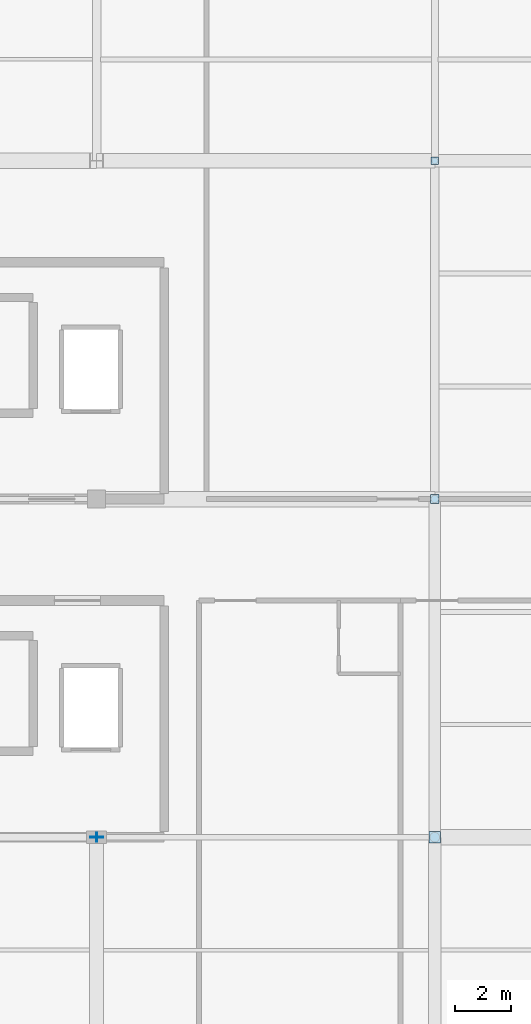
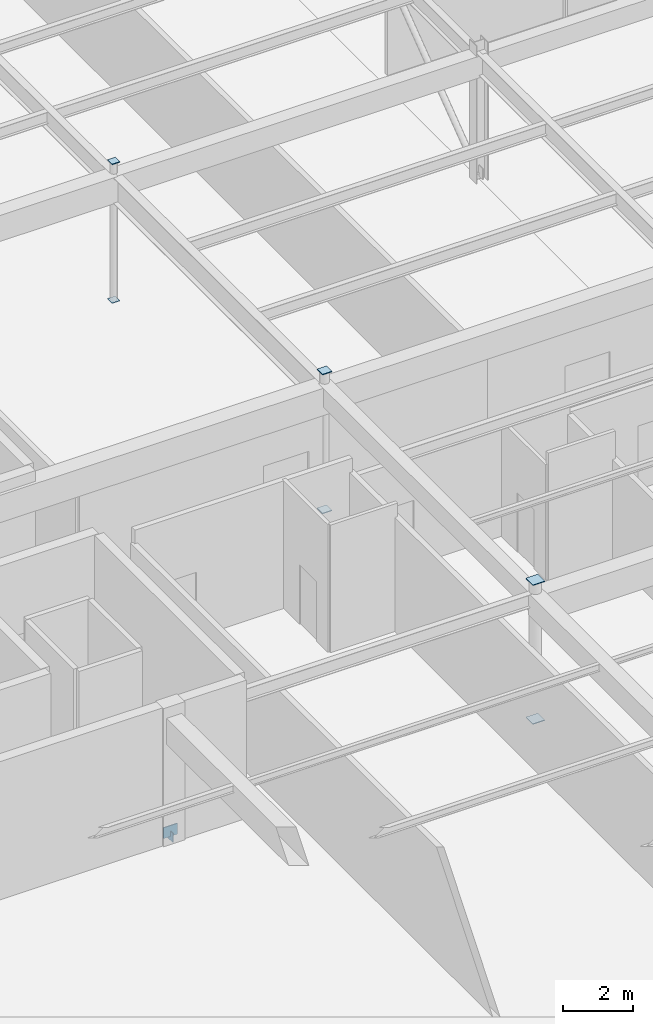
# One storey, part 167 of 226: 8 plates.
"""IFC4 building model written with IfcOpenShell, lengths in metres."""

from ifc_helpers import new_model, si_unit, direction, frame, origin, origin_2d, place, context, subcontext, project, spatial, rectangle, extrude, material, layer, layer_set, type_object, element, save


model = new_model("IFC4")

# Units and contexts
model_context = context("Model", 3, precision=1e-05, world=origin(), true_north=direction((0.0, 1.0)))
body_context = subcontext(model_context, "Body", "Model", "MODEL_VIEW")
ifc_project = project(units=[si_unit("LENGTHUNIT", "METRE"), si_unit("AREAUNIT", "SQUARE_METRE"), si_unit("VOLUMEUNIT", "CUBIC_METRE"), si_unit("PLANEANGLEUNIT", "RADIAN"), si_unit("MASSUNIT", "GRAM", prefix="KILO")], contexts=[model_context])

# Site, building, storey
site_placement = place(None, origin())
site = spatial("IfcSite", under=ifc_project, at=site_placement, CompositionType="ELEMENT")
building_placement = place(site_placement, origin())
building = spatial("IfcBuilding", under=site, at=building_placement, Name="Tarnwether General Hospital", CompositionType="ELEMENT")
storey_placement = place(building_placement, frame((0.0, 0.0, 4.800048828125)))
storey = spatial("IfcBuildingStorey", under=building, at=storey_placement, Name="L01", CompositionType="ELEMENT", Elevation=4.800048828125)

# Plates
ifc_material = material(Name="Steel Grade 350 (350 MPa)", Category="steel")
ifc_layer = layer(ifc_material, 0.02490234375)
ifc_layer_set = layer_set([ifc_layer], Name="Steel Grade 350 (350 MPa)")
plate_type = type_object("IfcPlateType", Name="PT-GUS2", PredefinedType="USERDEFINED", material=ifc_layer_set)
plate_1_placement = place(storey_placement, frame((36.0, 69.60009765625, 0.110107421875), z_axis=(0.0, 0.0, 1.0), x_axis=(1.0, 0.0, 0.0)))
element("IfcPlate", 1, at=plate_1_placement, inside=storey, type_object=plate_type, Name="Brace Base Gusset Plate 021", ObjectType="GUSSET", PredefinedType="USERDEFINED", context=body_context, shape_type="SweptSolid", body=[
    extrude(rectangle(XDim=0.4599609375, YDim=0.02490234375, at=origin_2d()), origin(), (0.0, 0.0, 1.0), 0.3798828125),
])
for number, where, z_axis, x_axis, name in (
    (2, (48.0, 69.60009765625, -0.02490234375), (0.0, 0.0, 1.0), (1.0, 0.0, 0.0), "Hollow Section Welded End Cap Plate 0085"),
    (3, (48.0, 69.60009765625, 4.800048828125), (0.0, 0.0, 1.0), (1.0, 0.0, 0.0), "Hollow Section Welded End Cap Plate 0086"),
):
    element("IfcPlate", number, at=place(storey_placement, frame(where, z_axis=z_axis, x_axis=x_axis)), inside=storey, type_object=plate_type, Name=name, ObjectType="GUSSET", PredefinedType="USERDEFINED", context=body_context, shape_type="SweptSolid", body=[
        extrude(rectangle(XDim=0.39599609375, YDim=0.39599609375, at=origin_2d()), origin(), (0.0, 0.0, 1.0), 0.02490234375),
    ])
for number, where, z_axis, x_axis, name in (
    (4, (48.0, 81.60009765625, -0.02490234375), (0.0, 0.0, 1.0), (1.0, 0.0, 0.0), "Hollow Section Welded End Cap Plate 0093"),
    (5, (48.0, 81.60009765625, 4.800048828125), (0.0, 0.0, 1.0), (1.0, 0.0, 0.0), "Hollow Section Welded End Cap Plate 0094"),
):
    element("IfcPlate", number, at=place(storey_placement, frame(where, z_axis=z_axis, x_axis=x_axis)), inside=storey, type_object=plate_type, Name=name, ObjectType="GUSSET", PredefinedType="USERDEFINED", context=body_context, shape_type="SweptSolid", body=[
        extrude(rectangle(XDim=0.31298828125, YDim=0.31298828125, at=origin_2d()), origin(), (0.0, 0.0, 1.0), 0.02490234375),
    ])
for number, where, z_axis, x_axis, name in (
    (6, (48.0, 93.60009765625, -0.02490234375), (0.0, 0.0, 1.0), (1.0, 0.0, 0.0), "Hollow Section Welded End Cap Plate 0101"),
    (7, (48.0, 93.60009765625, 4.800048828125), (0.0, 0.0, 1.0), (1.0, 0.0, 0.0), "Hollow Section Welded End Cap Plate 0102"),
):
    element("IfcPlate", number, at=place(storey_placement, frame(where, z_axis=z_axis, x_axis=x_axis)), inside=storey, type_object=plate_type, Name=name, ObjectType="GUSSET", PredefinedType="USERDEFINED", context=body_context, shape_type="SweptSolid", body=[
        extrude(rectangle(XDim=0.259033203125, YDim=0.259033203125, at=origin_2d()), origin(), (0.0, 0.0, 1.0), 0.02490234375),
    ])
plate_2_placement = place(storey_placement, frame((36.010498046875, 69.60009765625, -0.0234375), z_axis=(0.0, 0.0, 1.0), x_axis=(-1.0, 0.0, 0.0)))
element("IfcPlate", 8, at=plate_2_placement, inside=storey, type_object=plate_type, Name="Hollow Section Welded End Cap Plate 1205", ObjectType="GUSSET", PredefinedType="USERDEFINED", context=body_context, shape_type="SweptSolid", body=[
    extrude(rectangle(XDim=0.02490234375, YDim=0.31298828125, at=origin_2d()), origin(), (0.0, 0.0, 1.0), 0.31298828125),
])

save(model, "model.ifc")
